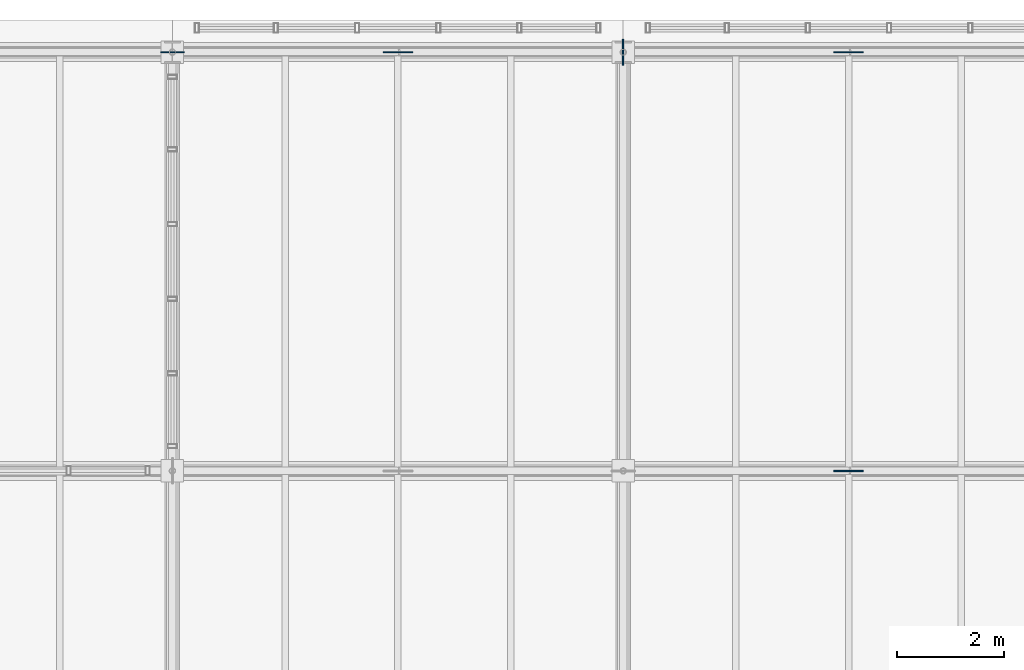
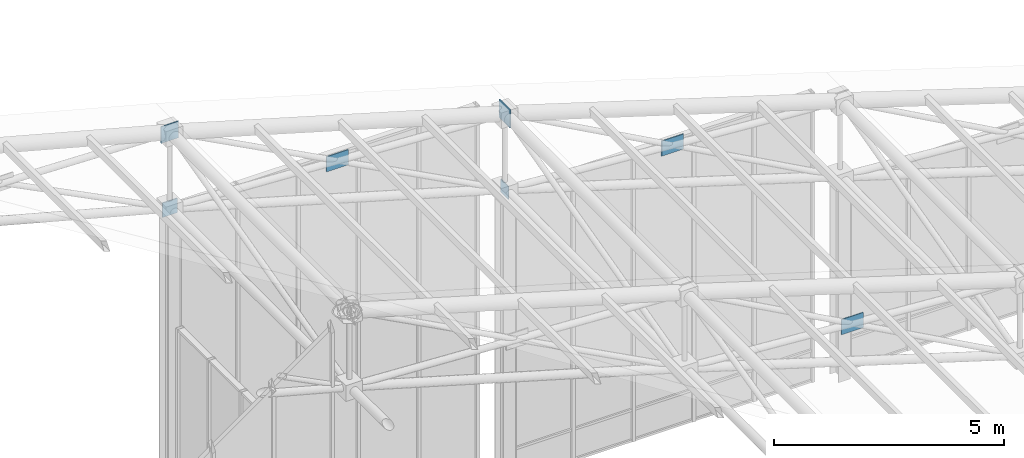
# One storey, part 127 of 144: 7 plates.
"""IFC4 building model written with IfcOpenShell, lengths in metres."""

from ifc_helpers import new_model, si_unit, direction, frame, origin, origin_2d, place, context, subcontext, project, spatial, rectangle, extrude, material, layer, layer_set, type_object, element, save


model = new_model("IFC4")

# Units and contexts
model_context = context("Model", 3, precision=1e-05, world=origin(), true_north=direction((0.0, 1.0)))
body_context = subcontext(model_context, "Body", "Model", "MODEL_VIEW")
ifc_project = project(units=[si_unit("LENGTHUNIT", "METRE"), si_unit("AREAUNIT", "SQUARE_METRE"), si_unit("VOLUMEUNIT", "CUBIC_METRE"), si_unit("PLANEANGLEUNIT", "RADIAN"), si_unit("MASSUNIT", "GRAM", prefix="KILO")], contexts=[model_context])

# Site, building, storey
site_placement = place(None, origin())
site = spatial("IfcSite", under=ifc_project, at=site_placement, CompositionType="ELEMENT")
building_placement = place(site_placement, origin())
building = spatial("IfcBuilding", under=site, at=building_placement, Name="Zayran Congress Hotel", CompositionType="ELEMENT")
storey_placement = place(building_placement, frame((0.0, 0.0, 19.199951171875)))
storey = spatial("IfcBuildingStorey", under=building, at=storey_placement, Name="L04", CompositionType="ELEMENT", Elevation=19.199951171875)

# Plates
ifc_material = material(Name="Steel S355", Category="steel")
ifc_layer_1 = layer(ifc_material, 0.02490234375)
ifc_layer_set_1 = layer_set([ifc_layer_1], Name="Steel S355")
plate_type_1 = type_object("IfcPlateType", Name="TP-SN-CP1", PredefinedType="USERDEFINED", material=ifc_layer_set_1)
plate_1_placement = place(storey_placement, frame((58.800048828125, 117.39990234375, 12.132080078125), z_axis=(0.0, 0.0, 1.0), x_axis=(1.0, 0.0, 0.0)))
element("IfcPlate", 1, at=plate_1_placement, inside=storey, type_object=plate_type_1, Name="Space Frame Node Cap Plate 49", ObjectType="GUSSET_PLATE", PredefinedType="USERDEFINED", context=body_context, shape_type="SweptSolid", body=[
    extrude(rectangle(XDim=0.43994140625, YDim=0.02490234375, at=origin_2d()), origin(), (0.0, 0.0, 1.0), 0.43994140625),
])
ifc_layer_2 = layer(ifc_material, 0.02490234375)
ifc_layer_set_2 = layer_set([ifc_layer_2], Name="Steel S355")
plate_type_2 = type_object("IfcPlateType", Name="TP-SN-CP2", PredefinedType="USERDEFINED", material=ifc_layer_set_2)
plate_2_placement = place(storey_placement, frame((58.800048828125, 117.39990234375, 10.16015625), z_axis=(0.0, 0.0, 1.0), x_axis=(1.0, 0.0, 0.0)))
element("IfcPlate", 2, at=plate_2_placement, inside=storey, type_object=plate_type_2, Name="Space Frame Node Cap Plate 126", ObjectType="GUSSET_PLATE", PredefinedType="USERDEFINED", context=body_context, shape_type="SweptSolid", body=[
    extrude(rectangle(XDim=0.3798828125, YDim=0.02490234375, at=origin_2d()), origin(), (0.0, 0.0, 1.0), 0.3798828125),
])
ifc_layer_3 = layer(ifc_material, 0.02001953125)
ifc_layer_set_3 = layer_set([ifc_layer_3], Name="Steel S355")
plate_type_3 = type_object("IfcPlateType", Name="TP-SN-CP3", PredefinedType="USERDEFINED", material=ifc_layer_set_3)
plate_3_placement = place(storey_placement, frame((67.199951171875, 117.39990234375, 7.72998046875), z_axis=(0.0, 0.0, 1.0), x_axis=(0.0, 1.0, 0.0)))
element("IfcPlate", 3, at=plate_3_placement, inside=storey, type_object=plate_type_3, Name="Space Frame Node Cap Plate 133", ObjectType="GUSSET_PLATE", PredefinedType="USERDEFINED", context=body_context, shape_type="SweptSolid", body=[
    extrude(rectangle(XDim=0.340087890625, YDim=0.02001953125, at=origin_2d()), origin(), (0.0, 0.0, 1.0), 0.340087890625),
])
ifc_layer_4 = layer(ifc_material, 0.028076171875)
ifc_layer_set_4 = layer_set([ifc_layer_4], Name="Steel S355")
plate_type_4 = type_object("IfcPlateType", Name="TP-SN-CP4", PredefinedType="USERDEFINED", material=ifc_layer_set_4)
plate_4_placement = place(storey_placement, frame((67.199951171875, 117.39990234375, 9.662109375), z_axis=(0.0, 0.0, 1.0), x_axis=(0.0, 1.0, 0.0)))
element("IfcPlate", 4, at=plate_4_placement, inside=storey, type_object=plate_type_4, Name="Space Frame Node Cap Plate 56", ObjectType="GUSSET_PLATE", PredefinedType="USERDEFINED", context=body_context, shape_type="SweptSolid", body=[
    extrude(rectangle(XDim=0.47998046875, YDim=0.028076171875, at=origin_2d()), origin(), (0.0, 0.0, 1.0), 0.47998046875),
])
ifc_layer_5 = layer(ifc_material, 0.02490234375)
ifc_layer_set_5 = layer_set([ifc_layer_5], Name="Steel S355")
plate_type_5 = type_object("IfcPlateType", Name="TP-GS-01", PredefinedType="USERDEFINED", material=ifc_layer_set_5)
for number, where, z_axis, x_axis, name in (
    (5, (63.0, 117.39990234375, 9.926025390625), (0.0, 0.0, 1.0), (1.0, 0.0, 0.0), "V1 Brace Crossing Gusset Plate 61"),
    (6, (71.39990234375, 109.60009765625, 7.401123046875), (0.0, 0.0, 1.0), (1.0, 0.0, 0.0), "V1 Brace Crossing Gusset Plate 67"),
    (7, (71.39990234375, 117.39990234375, 7.401123046875), (0.0, 0.0, 1.0), (1.0, 0.0, 0.0), "V1 Brace Crossing Gusset Plate 68"),
):
    element("IfcPlate", number, at=place(storey_placement, frame(where, z_axis=z_axis, x_axis=x_axis)), inside=storey, type_object=plate_type_5, Name=name, ObjectType="GUSSET_PLATE", PredefinedType="USERDEFINED", context=body_context, shape_type="SweptSolid", body=[
        extrude(rectangle(XDim=0.550048828125, YDim=0.02490234375, at=origin_2d()), origin(), (0.0, 0.0, 1.0), 0.39990234375),
    ])

save(model, "model.ifc")
